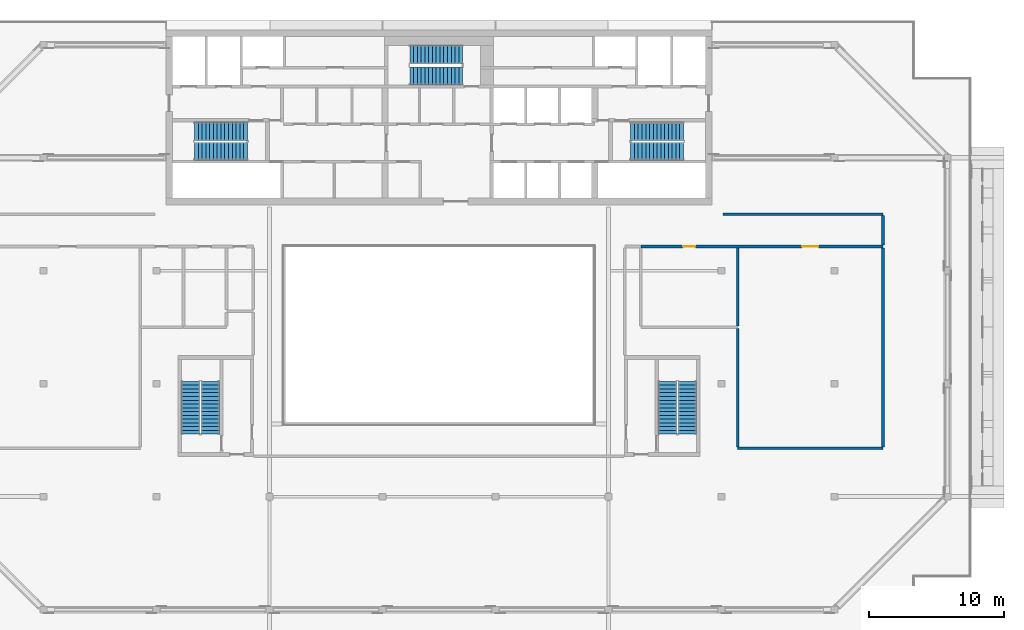
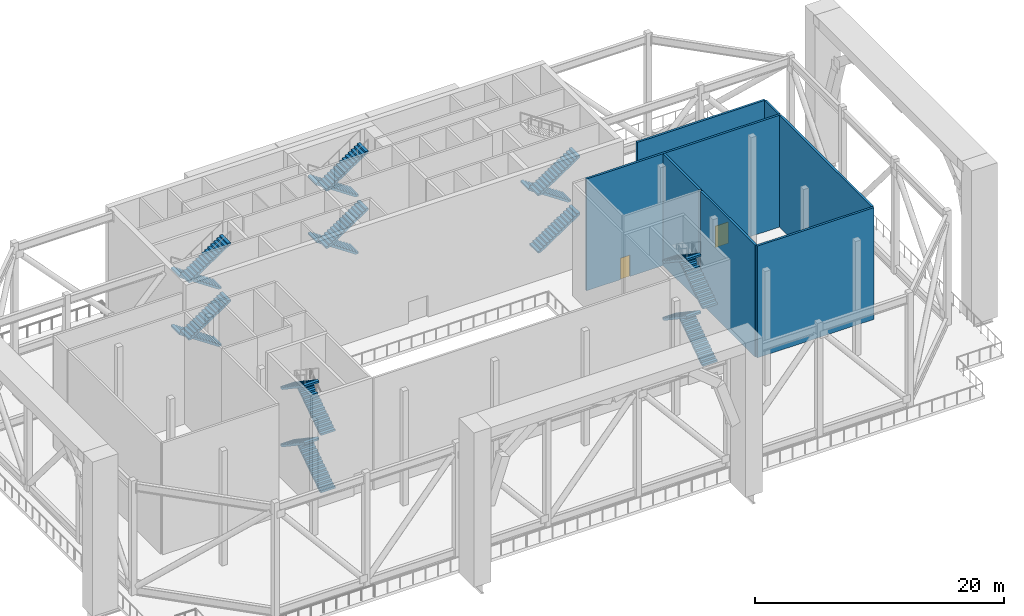
# One storey, part 8 of 20: 19 stair flights, 7 walls, 2 doors, 2 openings, 5 elements without a shape of their own.
"""IFC4 building model written with IfcOpenShell, lengths in metres."""

from ifc_helpers import new_model, si_unit, direction, frame, frame_2d, origin, place, context, subcontext, project, spatial, polyline, rectangle, outline, extrude, material, layer, layer_set, type_object, element, fill, aggregate, save


model = new_model("IFC4")

# Units and contexts
model_context = context("Model", 3, precision=1e-05, world=origin(), true_north=direction((0.0, 1.0)))
body_context = subcontext(model_context, "Body", "Model", "MODEL_VIEW")
ifc_project = project(units=[si_unit("LENGTHUNIT", "METRE"), si_unit("AREAUNIT", "SQUARE_METRE"), si_unit("VOLUMEUNIT", "CUBIC_METRE"), si_unit("PLANEANGLEUNIT", "RADIAN"), si_unit("MASSUNIT", "GRAM", prefix="KILO")], contexts=[model_context])

# Site, building, storey
site_placement = place(None, origin())
site = spatial("IfcSite", under=ifc_project, at=site_placement, CompositionType="ELEMENT")
building_placement = place(site_placement, origin())
building = spatial("IfcBuilding", under=site, at=building_placement, Name="Saffron Gate Tower", CompositionType="ELEMENT")
storey_placement = place(building_placement, frame((0.0, 0.0, 252.300048828125)))
storey = spatial("IfcBuildingStorey", under=building, at=storey_placement, Name="L62", CompositionType="ELEMENT", Elevation=252.300048828125)

# Wall, openings, doors
ifc_material_1 = material(Name="Clay brick masonry, rendered", Category="masonry")
ifc_layer_1 = layer(ifc_material_1, 0.199951171875)
ifc_layer_set_1 = layer_set([ifc_layer_1], Name="PW3 Corridor wall 200")
wall_type_1 = type_object("IfcWallType", Name="PW3 Corridor wall 200", PredefinedType="PARTITIONING", material=ifc_layer_set_1)
wall_1_placement = place(storey_placement, frame((120.60009765625, 58.800048828125, 0.0), z_axis=(0.0, 0.0, 1.0), x_axis=(-1.0, 0.0, 0.0)))
wall_1 = element("IfcWall", 1, at=wall_1_placement, inside=storey, type_object=wall_type_1, Name="Wall X3-9", PredefinedType="PARTITIONING", context=body_context, shape_type="SweptSolid", body=[
    extrude(rectangle(XDim=18.0, YDim=0.199951171875, at=frame_2d((9.0, 0.0))), origin(), (0.0, 0.0, 1.0), 10.969970703125),
])
opening_1_placement = place(wall_1_placement, frame((4.800048828125, 0.0, 0.0)))
opening_1 = element("IfcOpeningElement", 2, at=opening_1_placement, cuts=wall_1, Name="Opening X3-5", PredefinedType="OPENING", context=body_context, shape_type="SweptSolid", body=[
    extrude(rectangle(XDim=1.199951171875, YDim=2.10009765625, at=frame_2d((0.60009765625, 1.050048828125))), frame((0.0, 0.10986328125, 0.0), z_axis=(0.0, -1.0, 0.0), x_axis=(1.0, 0.0, 0.0)), (0.0, 0.0, 1.0), 0.219970703125),
])
opening_2_placement = place(wall_1_placement, frame((13.949951171875, 0.0, 0.0)))
opening_2 = element("IfcOpeningElement", 3, at=opening_2_placement, cuts=wall_1, Name="Opening X3-1", PredefinedType="OPENING", context=body_context, shape_type="SweptSolid", body=[
    extrude(rectangle(XDim=0.89990234375, YDim=2.10009765625, at=frame_2d((0.449951171875, 1.050048828125))), frame((0.0, 0.10986328125, 0.0), z_axis=(0.0, -1.0, 0.0), x_axis=(1.0, 0.0, 0.0)), (0.0, 0.0, 1.0), 0.219970703125),
])
ifc_material_2 = material(Name="Timber door set", Category="wood")
door_type_1 = type_object("IfcDoorType", Name="HD1 Hall door 1200x2100", OperationType="NOTDEFINED", PredefinedType="DOOR", material=ifc_material_2)
door_1_placement = place(opening_1_placement, origin())
door_1 = element("IfcDoor", 4, at=door_1_placement, inside=storey, type_object=door_type_1, Name="Door X3-5", OperationType="SINGLE_SWING_RIGHT", OverallHeight=2.10009765625, OverallWidth=1.199951171875, PredefinedType="DOOR", context=body_context, shape_type="SweptSolid", body=[
    extrude(rectangle(XDim=1.199951171875, YDim=2.10009765625, at=frame_2d((0.60009765625, 1.050048828125))), frame((0.0, 0.02490234375, 0.0), z_axis=(0.0, -1.0, 0.0), x_axis=(1.0, 0.0, 0.0)), (0.0, 0.0, 1.0), 0.050048828125),
])
fill(opening_1, door_1)
door_type_2 = type_object("IfcDoorType", Name="RD1 Room door 900x2100", OperationType="NOTDEFINED", PredefinedType="DOOR", material=ifc_material_2)
door_2_placement = place(opening_2_placement, origin())
door_2 = element("IfcDoor", 5, at=door_2_placement, inside=storey, type_object=door_type_2, Name="Door X3-1", OperationType="SINGLE_SWING_LEFT", OverallHeight=2.10009765625, OverallWidth=0.89990234375, PredefinedType="DOOR", context=body_context, shape_type="SweptSolid", body=[
    extrude(rectangle(XDim=0.89990234375, YDim=2.10009765625, at=frame_2d((0.449951171875, 1.050048828125))), frame((0.0, 0.02490234375, 0.0), z_axis=(0.0, -1.0, 0.0), x_axis=(1.0, 0.0, 0.0)), (0.0, 0.0, 1.0), 0.050048828125),
])
fill(opening_2, door_2)

# Walls
ifc_layer_2 = layer(ifc_material_1, 0.199951171875)
ifc_layer_set_2 = layer_set([ifc_layer_2], Name="PW5 Room wall 200")
wall_type_2 = type_object("IfcWallType", Name="PW5 Room wall 200", PredefinedType="PARTITIONING", material=ifc_layer_set_2)
wall_2_placement = place(storey_placement, frame((109.800048828125, 43.800048828125, 0.0), z_axis=(0.0, 0.0, 1.0), x_axis=(1.0, 0.0, 0.0)))
element("IfcWall", 6, at=wall_2_placement, inside=storey, type_object=wall_type_2, Name="Wall X3-3", PredefinedType="PARTITIONING", context=body_context, shape_type="SweptSolid", body=[
    extrude(rectangle(XDim=10.800048828125, YDim=0.199951171875, at=frame_2d((5.39990234375, 0.0))), origin(), (0.0, 0.0, 1.0), 10.969970703125),
])
wall_3_placement = place(storey_placement, frame((108.699951171875, 61.199951171875, 0.0), z_axis=(0.0, 0.0, 1.0), x_axis=(1.0, 0.0, 0.0)))
element("IfcWall", 7, at=wall_3_placement, inside=storey, type_object=wall_type_2, Name="Wall X3-12", PredefinedType="PARTITIONING", context=body_context, shape_type="SweptSolid", body=[
    extrude(rectangle(XDim=11.900146484375, YDim=0.199951171875, at=frame_2d((5.9501953125, 0.0))), origin(), (0.0, 0.0, 1.0), 10.969970703125),
])
wall_4_placement = place(storey_placement, frame((109.800048828125, 52.699951171875, 0.0), z_axis=(0.0, 0.0, 1.0), x_axis=(0.0, -1.0, 0.0)))
element("IfcWall", 8, at=wall_4_placement, inside=storey, type_object=wall_type_2, Name="Wall X3-24", PredefinedType="PARTITIONING", context=body_context, shape_type="SweptSolid", body=[
    extrude(rectangle(XDim=8.800048828125, YDim=0.199951171875, at=frame_2d((4.39990234375, 0.0))), origin(), (0.0, 0.0, 1.0), 10.969970703125),
])
wall_5_placement = place(storey_placement, frame((109.800048828125, 58.699951171875, 0.0), z_axis=(0.0, 0.0, 1.0), x_axis=(0.0, -1.0, 0.0)))
element("IfcWall", 9, at=wall_5_placement, inside=storey, type_object=wall_type_2, Name="Wall X3-25", PredefinedType="PARTITIONING", context=body_context, shape_type="SweptSolid", body=[
    extrude(rectangle(XDim=5.800048828125, YDim=0.199951171875, at=frame_2d((2.89990234375, 0.0))), origin(), (0.0, 0.0, 1.0), 10.969970703125),
])
wall_6_placement = place(storey_placement, frame((120.60009765625, 58.699951171875, 0.0), z_axis=(0.0, 0.0, 1.0), x_axis=(0.0, -1.0, 0.0)))
element("IfcWall", 10, at=wall_6_placement, inside=storey, type_object=wall_type_2, Name="Wall X3-26", PredefinedType="PARTITIONING", context=body_context, shape_type="SweptSolid", body=[
    extrude(rectangle(XDim=14.800048828125, YDim=0.199951171875, at=frame_2d((7.39990234375, 0.0))), origin(), (0.0, 0.0, 1.0), 10.969970703125),
])
wall_7_placement = place(storey_placement, frame((120.60009765625, 61.10009765625, 0.0), z_axis=(0.0, 0.0, 1.0), x_axis=(0.0, -1.0, 0.0)))
element("IfcWall", 11, at=wall_7_placement, inside=storey, type_object=wall_type_2, Name="Wall X3-27", PredefinedType="PARTITIONING", context=body_context, shape_type="SweptSolid", body=[
    extrude(rectangle(XDim=2.2001953125, YDim=0.199951171875, at=frame_2d((1.10009765625, 0.0))), origin(), (0.0, 0.0, 1.0), 10.969970703125),
])

# Stair, stair flights
ifc_material_3 = material(Name="Concrete C40", Category="concrete")
stair_type = type_object("IfcStairType", Name="ST8 Stair 1350 wide, 60 risers of 188", PredefinedType="HALF_TURN_STAIR", material=ifc_material_3)
stair_1_placement = place(storey_placement, origin())
stair_1 = element("IfcStair", 12, at=stair_1_placement, inside=storey, type_object=stair_type, Name="L62 Exit stair A", PredefinedType="HALF_TURN_STAIR")
stair_flight_type = type_object("IfcStairFlightType", Name="SF2 Stair flight 1350 wide, riser 188 going 280", PredefinedType="STRAIGHT", material=ifc_material_3)
stair_flight_1_placement = place(storey_placement, frame((73.35009765625, 67.375, 0.0), z_axis=(0.0, 0.0, 1.0), x_axis=(-1.0, 0.0, 0.0)))
stair_flight_1 = element("IfcStairFlight", 13, at=stair_flight_1_placement, type_object=stair_flight_type, Name="ST-A flight 1", NumberOfRisers=15, NumberOfTreads=14, PredefinedType="STRAIGHT", RiserHeight=0.1875, TreadLength=0.28, context=body_context, shape_type="SweptSolid", body=[
    extrude(outline(polyline([(0.0, 0.0), (0.0, 0.1875), (0.280029296875, 0.1875), (0.280029296875, 0.375), (0.56005859375, 0.375), (0.56005859375, 0.5625), (0.840087890625, 0.5625), (0.840087890625, 0.75), (1.1201171875, 0.75), (1.1201171875, 0.9375), (1.39990234375, 0.9375), (1.39990234375, 1.125), (1.679931640625, 1.125), (1.679931640625, 1.3125), (1.9599609375, 1.3125), (1.9599609375, 1.5), (2.239990234375, 1.5), (2.239990234375, 1.6875), (2.52001953125, 1.6875), (2.52001953125, 1.875), (2.800048828125, 1.875), (2.800048828125, 2.0625), (3.080078125, 2.0625), (3.080078125, 2.25), (3.360107421875, 2.25), (3.360107421875, 2.4375), (3.639892578125, 2.4375), (3.639892578125, 2.625), (3.919921875, 2.625), (3.919921875, 2.8125), (3.919921875, 2.444580078125), (0.26953125, 0.0), (0.0, 0.0)])), frame((0.0, 0.675048828125, 0.0), z_axis=(0.0, -1.0, 0.0), x_axis=(1.0, 0.0, 0.0)), (0.0, 0.0, 1.0), 1.35009765625),
])
stair_flight_2_placement = place(storey_placement, frame((69.429931640625, 65.875, 2.8125), z_axis=(0.0, 0.0, 1.0), x_axis=(1.0, 0.0, 0.0)))
stair_flight_2 = element("IfcStairFlight", 14, at=stair_flight_2_placement, type_object=stair_flight_type, Name="ST-A flight 2", NumberOfRisers=15, NumberOfTreads=14, PredefinedType="STRAIGHT", RiserHeight=0.1875, TreadLength=0.28, context=body_context, shape_type="SweptSolid", body=[
    extrude(outline(polyline([(0.0, 0.0), (0.0, 0.1875), (0.280029296875, 0.1875), (0.280029296875, 0.375), (0.56005859375, 0.375), (0.56005859375, 0.5625), (0.840087890625, 0.5625), (0.840087890625, 0.75), (1.1201171875, 0.75), (1.1201171875, 0.9375), (1.39990234375, 0.9375), (1.39990234375, 1.125), (1.679931640625, 1.125), (1.679931640625, 1.3125), (1.9599609375, 1.3125), (1.9599609375, 1.5), (2.239990234375, 1.5), (2.239990234375, 1.6875), (2.52001953125, 1.6875), (2.52001953125, 1.875), (2.800048828125, 1.875), (2.800048828125, 2.0625), (3.080078125, 2.0625), (3.080078125, 2.25), (3.360107421875, 2.25), (3.360107421875, 2.4375), (3.639892578125, 2.4375), (3.639892578125, 2.625), (3.919921875, 2.625), (3.919921875, 2.8125), (3.919921875, 2.444580078125), (0.26953125, 0.0), (0.0, 0.0)])), frame((0.0, 0.675048828125, 0.0), z_axis=(0.0, -1.0, 0.0), x_axis=(1.0, 0.0, 0.0)), (0.0, 0.0, 1.0), 1.35009765625),
])
stair_flight_3_placement = place(storey_placement, frame((73.35009765625, 67.375, 5.625), z_axis=(0.0, 0.0, 1.0), x_axis=(-1.0, 0.0, 0.0)))
stair_flight_3 = element("IfcStairFlight", 15, at=stair_flight_3_placement, type_object=stair_flight_type, Name="ST-A flight 3", NumberOfRisers=15, NumberOfTreads=14, PredefinedType="STRAIGHT", RiserHeight=0.1875, TreadLength=0.28, context=body_context, shape_type="SweptSolid", body=[
    extrude(outline(polyline([(0.0, 0.0), (0.0, 0.1875), (0.280029296875, 0.1875), (0.280029296875, 0.375), (0.56005859375, 0.375), (0.56005859375, 0.5625), (0.840087890625, 0.5625), (0.840087890625, 0.75), (1.1201171875, 0.75), (1.1201171875, 0.9375), (1.39990234375, 0.9375), (1.39990234375, 1.125), (1.679931640625, 1.125), (1.679931640625, 1.3125), (1.9599609375, 1.3125), (1.9599609375, 1.5), (2.239990234375, 1.5), (2.239990234375, 1.6875), (2.52001953125, 1.6875), (2.52001953125, 1.875), (2.800048828125, 1.875), (2.800048828125, 2.0625), (3.080078125, 2.0625), (3.080078125, 2.25), (3.360107421875, 2.25), (3.360107421875, 2.4375), (3.639892578125, 2.4375), (3.639892578125, 2.625), (3.919921875, 2.625), (3.919921875, 2.8125), (3.919921875, 2.444580078125), (0.26953125, 0.0), (0.0, 0.0)])), frame((0.0, 0.675048828125, 0.0), z_axis=(0.0, -1.0, 0.0), x_axis=(1.0, 0.0, 0.0)), (0.0, 0.0, 1.0), 1.35009765625),
])
stair_flight_4_placement = place(storey_placement, frame((69.429931640625, 65.875, 8.4375), z_axis=(0.0, 0.0, 1.0), x_axis=(1.0, 0.0, 0.0)))
stair_flight_4 = element("IfcStairFlight", 16, at=stair_flight_4_placement, type_object=stair_flight_type, Name="ST-A flight 4", NumberOfRisers=15, NumberOfTreads=14, PredefinedType="STRAIGHT", RiserHeight=0.1875, TreadLength=0.28, context=body_context, shape_type="SweptSolid", body=[
    extrude(outline(polyline([(0.0, 0.0), (0.0, 0.1875), (0.280029296875, 0.1875), (0.280029296875, 0.375), (0.56005859375, 0.375), (0.56005859375, 0.5625), (0.840087890625, 0.5625), (0.840087890625, 0.75), (1.1201171875, 0.75), (1.1201171875, 0.9375), (1.39990234375, 0.9375), (1.39990234375, 1.125), (1.679931640625, 1.125), (1.679931640625, 1.3125), (1.9599609375, 1.3125), (1.9599609375, 1.5), (2.239990234375, 1.5), (2.239990234375, 1.6875), (2.52001953125, 1.6875), (2.52001953125, 1.875), (2.800048828125, 1.875), (2.800048828125, 2.0625), (3.080078125, 2.0625), (3.080078125, 2.25), (3.360107421875, 2.25), (3.360107421875, 2.4375), (3.639892578125, 2.4375), (3.639892578125, 2.625), (3.919921875, 2.625), (3.919921875, 2.8125), (3.919921875, 2.444580078125), (0.26953125, 0.0), (0.0, 0.0)])), frame((0.0, 0.675048828125, 0.0), z_axis=(0.0, -1.0, 0.0), x_axis=(1.0, 0.0, 0.0)), (0.0, 0.0, 1.0), 1.35009765625),
])
aggregate(stair_1, [stair_flight_1, stair_flight_2, stair_flight_3, stair_flight_4])

stair_2_placement = place(storey_placement, origin())
stair_2 = element("IfcStair", 17, at=stair_2_placement, inside=storey, type_object=stair_type, Name="L62 Exit stair B", PredefinedType="HALF_TURN_STAIR")
stair_flight_5_placement = place(storey_placement, frame((101.85009765625, 65.875, 0.0), z_axis=(0.0, 0.0, 1.0), x_axis=(1.0, 0.0, 0.0)))
stair_flight_5 = element("IfcStairFlight", 18, at=stair_flight_5_placement, type_object=stair_flight_type, Name="ST-B flight 1", NumberOfRisers=15, NumberOfTreads=14, PredefinedType="STRAIGHT", RiserHeight=0.1875, TreadLength=0.28, context=body_context, shape_type="SweptSolid", body=[
    extrude(outline(polyline([(0.0, 0.0), (0.0, 0.1875), (0.280029296875, 0.1875), (0.280029296875, 0.375), (0.56005859375, 0.375), (0.56005859375, 0.5625), (0.840087890625, 0.5625), (0.840087890625, 0.75), (1.1201171875, 0.75), (1.1201171875, 0.9375), (1.39990234375, 0.9375), (1.39990234375, 1.125), (1.679931640625, 1.125), (1.679931640625, 1.3125), (1.9599609375, 1.3125), (1.9599609375, 1.5), (2.239990234375, 1.5), (2.239990234375, 1.6875), (2.52001953125, 1.6875), (2.52001953125, 1.875), (2.800048828125, 1.875), (2.800048828125, 2.0625), (3.080078125, 2.0625), (3.080078125, 2.25), (3.360107421875, 2.25), (3.360107421875, 2.4375), (3.639892578125, 2.4375), (3.639892578125, 2.625), (3.919921875, 2.625), (3.919921875, 2.8125), (3.919921875, 2.444580078125), (0.26953125, 0.0), (0.0, 0.0)])), frame((0.0, 0.675048828125, 0.0), z_axis=(0.0, -1.0, 0.0), x_axis=(1.0, 0.0, 0.0)), (0.0, 0.0, 1.0), 1.35009765625),
])
stair_flight_6_placement = place(storey_placement, frame((105.77001953125, 67.375, 2.8125), z_axis=(0.0, 0.0, 1.0), x_axis=(-1.0, 0.0, 0.0)))
stair_flight_6 = element("IfcStairFlight", 19, at=stair_flight_6_placement, type_object=stair_flight_type, Name="ST-B flight 2", NumberOfRisers=15, NumberOfTreads=14, PredefinedType="STRAIGHT", RiserHeight=0.1875, TreadLength=0.28, context=body_context, shape_type="SweptSolid", body=[
    extrude(outline(polyline([(0.0, 0.0), (0.0, 0.1875), (0.280029296875, 0.1875), (0.280029296875, 0.375), (0.56005859375, 0.375), (0.56005859375, 0.5625), (0.840087890625, 0.5625), (0.840087890625, 0.75), (1.1201171875, 0.75), (1.1201171875, 0.9375), (1.39990234375, 0.9375), (1.39990234375, 1.125), (1.679931640625, 1.125), (1.679931640625, 1.3125), (1.9599609375, 1.3125), (1.9599609375, 1.5), (2.239990234375, 1.5), (2.239990234375, 1.6875), (2.52001953125, 1.6875), (2.52001953125, 1.875), (2.800048828125, 1.875), (2.800048828125, 2.0625), (3.080078125, 2.0625), (3.080078125, 2.25), (3.360107421875, 2.25), (3.360107421875, 2.4375), (3.639892578125, 2.4375), (3.639892578125, 2.625), (3.919921875, 2.625), (3.919921875, 2.8125), (3.919921875, 2.444580078125), (0.26953125, 0.0), (0.0, 0.0)])), frame((0.0, 0.675048828125, 0.0), z_axis=(0.0, -1.0, 0.0), x_axis=(1.0, 0.0, 0.0)), (0.0, 0.0, 1.0), 1.35009765625),
])
stair_flight_7_placement = place(storey_placement, frame((101.85009765625, 65.875, 5.625), z_axis=(0.0, 0.0, 1.0), x_axis=(1.0, 0.0, 0.0)))
stair_flight_7 = element("IfcStairFlight", 20, at=stair_flight_7_placement, type_object=stair_flight_type, Name="ST-B flight 3", NumberOfRisers=15, NumberOfTreads=14, PredefinedType="STRAIGHT", RiserHeight=0.1875, TreadLength=0.28, context=body_context, shape_type="SweptSolid", body=[
    extrude(outline(polyline([(0.0, 0.0), (0.0, 0.1875), (0.280029296875, 0.1875), (0.280029296875, 0.375), (0.56005859375, 0.375), (0.56005859375, 0.5625), (0.840087890625, 0.5625), (0.840087890625, 0.75), (1.1201171875, 0.75), (1.1201171875, 0.9375), (1.39990234375, 0.9375), (1.39990234375, 1.125), (1.679931640625, 1.125), (1.679931640625, 1.3125), (1.9599609375, 1.3125), (1.9599609375, 1.5), (2.239990234375, 1.5), (2.239990234375, 1.6875), (2.52001953125, 1.6875), (2.52001953125, 1.875), (2.800048828125, 1.875), (2.800048828125, 2.0625), (3.080078125, 2.0625), (3.080078125, 2.25), (3.360107421875, 2.25), (3.360107421875, 2.4375), (3.639892578125, 2.4375), (3.639892578125, 2.625), (3.919921875, 2.625), (3.919921875, 2.8125), (3.919921875, 2.444580078125), (0.26953125, 0.0), (0.0, 0.0)])), frame((0.0, 0.675048828125, 0.0), z_axis=(0.0, -1.0, 0.0), x_axis=(1.0, 0.0, 0.0)), (0.0, 0.0, 1.0), 1.35009765625),
])
aggregate(stair_2, [stair_flight_5, stair_flight_6, stair_flight_7])

stair_3_placement = place(storey_placement, origin())
stair_3 = element("IfcStair", 21, at=stair_3_placement, inside=storey, type_object=stair_type, Name="L62 Exit stair C", PredefinedType="HALF_TURN_STAIR")
stair_flight_8_placement = place(storey_placement, frame((89.35009765625, 73.074951171875, 0.0), z_axis=(0.0, 0.0, 1.0), x_axis=(-1.0, 0.0, 0.0)))
stair_flight_8 = element("IfcStairFlight", 22, at=stair_flight_8_placement, type_object=stair_flight_type, Name="ST-C flight 1", NumberOfRisers=15, NumberOfTreads=14, PredefinedType="STRAIGHT", RiserHeight=0.1875, TreadLength=0.28, context=body_context, shape_type="SweptSolid", body=[
    extrude(outline(polyline([(0.0, 0.0), (0.0, 0.1875), (0.280029296875, 0.1875), (0.280029296875, 0.375), (0.56005859375, 0.375), (0.56005859375, 0.5625), (0.840087890625, 0.5625), (0.840087890625, 0.75), (1.1201171875, 0.75), (1.1201171875, 0.9375), (1.39990234375, 0.9375), (1.39990234375, 1.125), (1.679931640625, 1.125), (1.679931640625, 1.3125), (1.9599609375, 1.3125), (1.9599609375, 1.5), (2.239990234375, 1.5), (2.239990234375, 1.6875), (2.52001953125, 1.6875), (2.52001953125, 1.875), (2.800048828125, 1.875), (2.800048828125, 2.0625), (3.080078125, 2.0625), (3.080078125, 2.25), (3.360107421875, 2.25), (3.360107421875, 2.4375), (3.639892578125, 2.4375), (3.639892578125, 2.625), (3.919921875, 2.625), (3.919921875, 2.8125), (3.919921875, 2.444580078125), (0.26953125, 0.0), (0.0, 0.0)])), frame((0.0, 0.675048828125, 0.0), z_axis=(0.0, -1.0, 0.0), x_axis=(1.0, 0.0, 0.0)), (0.0, 0.0, 1.0), 1.35009765625),
])
stair_flight_9_placement = place(storey_placement, frame((85.429931640625, 71.47509765625, 2.8125), z_axis=(0.0, 0.0, 1.0), x_axis=(1.0, 0.0, 0.0)))
stair_flight_9 = element("IfcStairFlight", 23, at=stair_flight_9_placement, type_object=stair_flight_type, Name="ST-C flight 2", NumberOfRisers=15, NumberOfTreads=14, PredefinedType="STRAIGHT", RiserHeight=0.1875, TreadLength=0.28, context=body_context, shape_type="SweptSolid", body=[
    extrude(outline(polyline([(0.0, 0.0), (0.0, 0.1875), (0.280029296875, 0.1875), (0.280029296875, 0.375), (0.56005859375, 0.375), (0.56005859375, 0.5625), (0.840087890625, 0.5625), (0.840087890625, 0.75), (1.1201171875, 0.75), (1.1201171875, 0.9375), (1.39990234375, 0.9375), (1.39990234375, 1.125), (1.679931640625, 1.125), (1.679931640625, 1.3125), (1.9599609375, 1.3125), (1.9599609375, 1.5), (2.239990234375, 1.5), (2.239990234375, 1.6875), (2.52001953125, 1.6875), (2.52001953125, 1.875), (2.800048828125, 1.875), (2.800048828125, 2.0625), (3.080078125, 2.0625), (3.080078125, 2.25), (3.360107421875, 2.25), (3.360107421875, 2.4375), (3.639892578125, 2.4375), (3.639892578125, 2.625), (3.919921875, 2.625), (3.919921875, 2.8125), (3.919921875, 2.444580078125), (0.26953125, 0.0), (0.0, 0.0)])), frame((0.0, 0.675048828125, 0.0), z_axis=(0.0, -1.0, 0.0), x_axis=(1.0, 0.0, 0.0)), (0.0, 0.0, 1.0), 1.35009765625),
])
stair_flight_10_placement = place(storey_placement, frame((89.35009765625, 73.074951171875, 5.625), z_axis=(0.0, 0.0, 1.0), x_axis=(-1.0, 0.0, 0.0)))
stair_flight_10 = element("IfcStairFlight", 24, at=stair_flight_10_placement, type_object=stair_flight_type, Name="ST-C flight 3", NumberOfRisers=15, NumberOfTreads=14, PredefinedType="STRAIGHT", RiserHeight=0.1875, TreadLength=0.28, context=body_context, shape_type="SweptSolid", body=[
    extrude(outline(polyline([(0.0, 0.0), (0.0, 0.1875), (0.280029296875, 0.1875), (0.280029296875, 0.375), (0.56005859375, 0.375), (0.56005859375, 0.5625), (0.840087890625, 0.5625), (0.840087890625, 0.75), (1.1201171875, 0.75), (1.1201171875, 0.9375), (1.39990234375, 0.9375), (1.39990234375, 1.125), (1.679931640625, 1.125), (1.679931640625, 1.3125), (1.9599609375, 1.3125), (1.9599609375, 1.5), (2.239990234375, 1.5), (2.239990234375, 1.6875), (2.52001953125, 1.6875), (2.52001953125, 1.875), (2.800048828125, 1.875), (2.800048828125, 2.0625), (3.080078125, 2.0625), (3.080078125, 2.25), (3.360107421875, 2.25), (3.360107421875, 2.4375), (3.639892578125, 2.4375), (3.639892578125, 2.625), (3.919921875, 2.625), (3.919921875, 2.8125), (3.919921875, 2.444580078125), (0.26953125, 0.0), (0.0, 0.0)])), frame((0.0, 0.675048828125, 0.0), z_axis=(0.0, -1.0, 0.0), x_axis=(1.0, 0.0, 0.0)), (0.0, 0.0, 1.0), 1.35009765625),
])
stair_flight_11_placement = place(storey_placement, frame((85.429931640625, 71.47509765625, 8.4375), z_axis=(0.0, 0.0, 1.0), x_axis=(1.0, 0.0, 0.0)))
stair_flight_11 = element("IfcStairFlight", 25, at=stair_flight_11_placement, type_object=stair_flight_type, Name="ST-C flight 4", NumberOfRisers=15, NumberOfTreads=14, PredefinedType="STRAIGHT", RiserHeight=0.1875, TreadLength=0.28, context=body_context, shape_type="SweptSolid", body=[
    extrude(outline(polyline([(0.0, 0.0), (0.0, 0.1875), (0.280029296875, 0.1875), (0.280029296875, 0.375), (0.56005859375, 0.375), (0.56005859375, 0.5625), (0.840087890625, 0.5625), (0.840087890625, 0.75), (1.1201171875, 0.75), (1.1201171875, 0.9375), (1.39990234375, 0.9375), (1.39990234375, 1.125), (1.679931640625, 1.125), (1.679931640625, 1.3125), (1.9599609375, 1.3125), (1.9599609375, 1.5), (2.239990234375, 1.5), (2.239990234375, 1.6875), (2.52001953125, 1.6875), (2.52001953125, 1.875), (2.800048828125, 1.875), (2.800048828125, 2.0625), (3.080078125, 2.0625), (3.080078125, 2.25), (3.360107421875, 2.25), (3.360107421875, 2.4375), (3.639892578125, 2.4375), (3.639892578125, 2.625), (3.919921875, 2.625), (3.919921875, 2.8125), (3.919921875, 2.444580078125), (0.26953125, 0.0), (0.0, 0.0)])), frame((0.0, 0.675048828125, 0.0), z_axis=(0.0, -1.0, 0.0), x_axis=(1.0, 0.0, 0.0)), (0.0, 0.0, 1.0), 1.35009765625),
])
aggregate(stair_3, [stair_flight_8, stair_flight_9, stair_flight_10, stair_flight_11])

stair_4_placement = place(storey_placement, origin())
stair_4 = element("IfcStair", 26, at=stair_4_placement, inside=storey, type_object=stair_type, Name="L62 Exit stair D", PredefinedType="HALF_TURN_STAIR")
stair_flight_12_placement = place(storey_placement, frame((70.625, 44.85009765625, 0.0), z_axis=(0.0, 0.0, 1.0), x_axis=(0.0, 1.0, 0.0)))
stair_flight_12 = element("IfcStairFlight", 27, at=stair_flight_12_placement, type_object=stair_flight_type, Name="ST-D flight 1", NumberOfRisers=15, NumberOfTreads=14, PredefinedType="STRAIGHT", RiserHeight=0.1875, TreadLength=0.28, context=body_context, shape_type="SweptSolid", body=[
    extrude(outline(polyline([(0.0, 0.0), (0.0, 0.1875), (0.280029296875, 0.1875), (0.280029296875, 0.375), (0.56005859375, 0.375), (0.56005859375, 0.5625), (0.840087890625, 0.5625), (0.840087890625, 0.75), (1.1201171875, 0.75), (1.1201171875, 0.9375), (1.39990234375, 0.9375), (1.39990234375, 1.125), (1.679931640625, 1.125), (1.679931640625, 1.3125), (1.9599609375, 1.3125), (1.9599609375, 1.5), (2.239990234375, 1.5), (2.239990234375, 1.6875), (2.52001953125, 1.6875), (2.52001953125, 1.875), (2.800048828125, 1.875), (2.800048828125, 2.0625), (3.080078125, 2.0625), (3.080078125, 2.25), (3.360107421875, 2.25), (3.360107421875, 2.4375), (3.639892578125, 2.4375), (3.639892578125, 2.625), (3.919921875, 2.625), (3.919921875, 2.8125), (3.919921875, 2.444580078125), (0.26953125, 0.0), (0.0, 0.0)])), frame((0.0, 0.675048828125, 0.0), z_axis=(0.0, -1.0, 0.0), x_axis=(1.0, 0.0, 0.0)), (0.0, 0.0, 1.0), 1.35009765625),
])
stair_flight_13_placement = place(storey_placement, frame((69.125, 48.77001953125, 2.8125), z_axis=(0.0, 0.0, 1.0), x_axis=(0.0, -1.0, 0.0)))
stair_flight_13 = element("IfcStairFlight", 28, at=stair_flight_13_placement, type_object=stair_flight_type, Name="ST-D flight 2", NumberOfRisers=15, NumberOfTreads=14, PredefinedType="STRAIGHT", RiserHeight=0.1875, TreadLength=0.28, context=body_context, shape_type="SweptSolid", body=[
    extrude(outline(polyline([(0.0, 0.0), (0.0, 0.1875), (0.280029296875, 0.1875), (0.280029296875, 0.375), (0.56005859375, 0.375), (0.56005859375, 0.5625), (0.840087890625, 0.5625), (0.840087890625, 0.75), (1.1201171875, 0.75), (1.1201171875, 0.9375), (1.39990234375, 0.9375), (1.39990234375, 1.125), (1.679931640625, 1.125), (1.679931640625, 1.3125), (1.9599609375, 1.3125), (1.9599609375, 1.5), (2.239990234375, 1.5), (2.239990234375, 1.6875), (2.52001953125, 1.6875), (2.52001953125, 1.875), (2.800048828125, 1.875), (2.800048828125, 2.0625), (3.080078125, 2.0625), (3.080078125, 2.25), (3.360107421875, 2.25), (3.360107421875, 2.4375), (3.639892578125, 2.4375), (3.639892578125, 2.625), (3.919921875, 2.625), (3.919921875, 2.8125), (3.919921875, 2.444580078125), (0.26953125, 0.0), (0.0, 0.0)])), frame((0.0, 0.675048828125, 0.0), z_axis=(0.0, -1.0, 0.0), x_axis=(1.0, 0.0, 0.0)), (0.0, 0.0, 1.0), 1.35009765625),
])
stair_flight_14_placement = place(storey_placement, frame((70.625, 44.85009765625, 5.625), z_axis=(0.0, 0.0, 1.0), x_axis=(0.0, 1.0, 0.0)))
stair_flight_14 = element("IfcStairFlight", 29, at=stair_flight_14_placement, type_object=stair_flight_type, Name="ST-D flight 3", NumberOfRisers=15, NumberOfTreads=14, PredefinedType="STRAIGHT", RiserHeight=0.1875, TreadLength=0.28, context=body_context, shape_type="SweptSolid", body=[
    extrude(outline(polyline([(0.0, 0.0), (0.0, 0.1875), (0.280029296875, 0.1875), (0.280029296875, 0.375), (0.56005859375, 0.375), (0.56005859375, 0.5625), (0.840087890625, 0.5625), (0.840087890625, 0.75), (1.1201171875, 0.75), (1.1201171875, 0.9375), (1.39990234375, 0.9375), (1.39990234375, 1.125), (1.679931640625, 1.125), (1.679931640625, 1.3125), (1.9599609375, 1.3125), (1.9599609375, 1.5), (2.239990234375, 1.5), (2.239990234375, 1.6875), (2.52001953125, 1.6875), (2.52001953125, 1.875), (2.800048828125, 1.875), (2.800048828125, 2.0625), (3.080078125, 2.0625), (3.080078125, 2.25), (3.360107421875, 2.25), (3.360107421875, 2.4375), (3.639892578125, 2.4375), (3.639892578125, 2.625), (3.919921875, 2.625), (3.919921875, 2.8125), (3.919921875, 2.444580078125), (0.26953125, 0.0), (0.0, 0.0)])), frame((0.0, 0.675048828125, 0.0), z_axis=(0.0, -1.0, 0.0), x_axis=(1.0, 0.0, 0.0)), (0.0, 0.0, 1.0), 1.35009765625),
])
stair_flight_15_placement = place(storey_placement, frame((69.125, 48.77001953125, 8.4375), z_axis=(0.0, 0.0, 1.0), x_axis=(0.0, -1.0, 0.0)))
stair_flight_15 = element("IfcStairFlight", 30, at=stair_flight_15_placement, type_object=stair_flight_type, Name="ST-D flight 4", NumberOfRisers=15, NumberOfTreads=14, PredefinedType="STRAIGHT", RiserHeight=0.1875, TreadLength=0.28, context=body_context, shape_type="SweptSolid", body=[
    extrude(outline(polyline([(0.0, 0.0), (0.0, 0.1875), (0.280029296875, 0.1875), (0.280029296875, 0.375), (0.56005859375, 0.375), (0.56005859375, 0.5625), (0.840087890625, 0.5625), (0.840087890625, 0.75), (1.1201171875, 0.75), (1.1201171875, 0.9375), (1.39990234375, 0.9375), (1.39990234375, 1.125), (1.679931640625, 1.125), (1.679931640625, 1.3125), (1.9599609375, 1.3125), (1.9599609375, 1.5), (2.239990234375, 1.5), (2.239990234375, 1.6875), (2.52001953125, 1.6875), (2.52001953125, 1.875), (2.800048828125, 1.875), (2.800048828125, 2.0625), (3.080078125, 2.0625), (3.080078125, 2.25), (3.360107421875, 2.25), (3.360107421875, 2.4375), (3.639892578125, 2.4375), (3.639892578125, 2.625), (3.919921875, 2.625), (3.919921875, 2.8125), (3.919921875, 2.444580078125), (0.26953125, 0.0), (0.0, 0.0)])), frame((0.0, 0.675048828125, 0.0), z_axis=(0.0, -1.0, 0.0), x_axis=(1.0, 0.0, 0.0)), (0.0, 0.0, 1.0), 1.35009765625),
])
aggregate(stair_4, [stair_flight_12, stair_flight_13, stair_flight_14, stair_flight_15])

stair_5_placement = place(storey_placement, origin())
stair_5 = element("IfcStair", 31, at=stair_5_placement, inside=storey, type_object=stair_type, Name="L62 Exit stair E", PredefinedType="HALF_TURN_STAIR")
stair_flight_16_placement = place(storey_placement, frame((106.074951171875, 44.85009765625, 0.0), z_axis=(0.0, 0.0, 1.0), x_axis=(0.0, 1.0, 0.0)))
stair_flight_16 = element("IfcStairFlight", 32, at=stair_flight_16_placement, type_object=stair_flight_type, Name="ST-E flight 1", NumberOfRisers=15, NumberOfTreads=14, PredefinedType="STRAIGHT", RiserHeight=0.1875, TreadLength=0.28, context=body_context, shape_type="SweptSolid", body=[
    extrude(outline(polyline([(0.0, 0.0), (0.0, 0.1875), (0.280029296875, 0.1875), (0.280029296875, 0.375), (0.56005859375, 0.375), (0.56005859375, 0.5625), (0.840087890625, 0.5625), (0.840087890625, 0.75), (1.1201171875, 0.75), (1.1201171875, 0.9375), (1.39990234375, 0.9375), (1.39990234375, 1.125), (1.679931640625, 1.125), (1.679931640625, 1.3125), (1.9599609375, 1.3125), (1.9599609375, 1.5), (2.239990234375, 1.5), (2.239990234375, 1.6875), (2.52001953125, 1.6875), (2.52001953125, 1.875), (2.800048828125, 1.875), (2.800048828125, 2.0625), (3.080078125, 2.0625), (3.080078125, 2.25), (3.360107421875, 2.25), (3.360107421875, 2.4375), (3.639892578125, 2.4375), (3.639892578125, 2.625), (3.919921875, 2.625), (3.919921875, 2.8125), (3.919921875, 2.444580078125), (0.26953125, 0.0), (0.0, 0.0)])), frame((0.0, 0.675048828125, 0.0), z_axis=(0.0, -1.0, 0.0), x_axis=(1.0, 0.0, 0.0)), (0.0, 0.0, 1.0), 1.35009765625),
])
stair_flight_17_placement = place(storey_placement, frame((104.574951171875, 48.77001953125, 2.8125), z_axis=(0.0, 0.0, 1.0), x_axis=(0.0, -1.0, 0.0)))
stair_flight_17 = element("IfcStairFlight", 33, at=stair_flight_17_placement, type_object=stair_flight_type, Name="ST-E flight 2", NumberOfRisers=15, NumberOfTreads=14, PredefinedType="STRAIGHT", RiserHeight=0.1875, TreadLength=0.28, context=body_context, shape_type="SweptSolid", body=[
    extrude(outline(polyline([(0.0, 0.0), (0.0, 0.1875), (0.280029296875, 0.1875), (0.280029296875, 0.375), (0.56005859375, 0.375), (0.56005859375, 0.5625), (0.840087890625, 0.5625), (0.840087890625, 0.75), (1.1201171875, 0.75), (1.1201171875, 0.9375), (1.39990234375, 0.9375), (1.39990234375, 1.125), (1.679931640625, 1.125), (1.679931640625, 1.3125), (1.9599609375, 1.3125), (1.9599609375, 1.5), (2.239990234375, 1.5), (2.239990234375, 1.6875), (2.52001953125, 1.6875), (2.52001953125, 1.875), (2.800048828125, 1.875), (2.800048828125, 2.0625), (3.080078125, 2.0625), (3.080078125, 2.25), (3.360107421875, 2.25), (3.360107421875, 2.4375), (3.639892578125, 2.4375), (3.639892578125, 2.625), (3.919921875, 2.625), (3.919921875, 2.8125), (3.919921875, 2.444580078125), (0.26953125, 0.0), (0.0, 0.0)])), frame((0.0, 0.675048828125, 0.0), z_axis=(0.0, -1.0, 0.0), x_axis=(1.0, 0.0, 0.0)), (0.0, 0.0, 1.0), 1.35009765625),
])
stair_flight_18_placement = place(storey_placement, frame((106.074951171875, 44.85009765625, 5.625), z_axis=(0.0, 0.0, 1.0), x_axis=(0.0, 1.0, 0.0)))
stair_flight_18 = element("IfcStairFlight", 34, at=stair_flight_18_placement, type_object=stair_flight_type, Name="ST-E flight 3", NumberOfRisers=15, NumberOfTreads=14, PredefinedType="STRAIGHT", RiserHeight=0.1875, TreadLength=0.28, context=body_context, shape_type="SweptSolid", body=[
    extrude(outline(polyline([(0.0, 0.0), (0.0, 0.1875), (0.280029296875, 0.1875), (0.280029296875, 0.375), (0.56005859375, 0.375), (0.56005859375, 0.5625), (0.840087890625, 0.5625), (0.840087890625, 0.75), (1.1201171875, 0.75), (1.1201171875, 0.9375), (1.39990234375, 0.9375), (1.39990234375, 1.125), (1.679931640625, 1.125), (1.679931640625, 1.3125), (1.9599609375, 1.3125), (1.9599609375, 1.5), (2.239990234375, 1.5), (2.239990234375, 1.6875), (2.52001953125, 1.6875), (2.52001953125, 1.875), (2.800048828125, 1.875), (2.800048828125, 2.0625), (3.080078125, 2.0625), (3.080078125, 2.25), (3.360107421875, 2.25), (3.360107421875, 2.4375), (3.639892578125, 2.4375), (3.639892578125, 2.625), (3.919921875, 2.625), (3.919921875, 2.8125), (3.919921875, 2.444580078125), (0.26953125, 0.0), (0.0, 0.0)])), frame((0.0, 0.675048828125, 0.0), z_axis=(0.0, -1.0, 0.0), x_axis=(1.0, 0.0, 0.0)), (0.0, 0.0, 1.0), 1.35009765625),
])
stair_flight_19_placement = place(storey_placement, frame((104.574951171875, 48.77001953125, 8.4375), z_axis=(0.0, 0.0, 1.0), x_axis=(0.0, -1.0, 0.0)))
stair_flight_19 = element("IfcStairFlight", 35, at=stair_flight_19_placement, type_object=stair_flight_type, Name="ST-E flight 4", NumberOfRisers=15, NumberOfTreads=14, PredefinedType="STRAIGHT", RiserHeight=0.1875, TreadLength=0.28, context=body_context, shape_type="SweptSolid", body=[
    extrude(outline(polyline([(0.0, 0.0), (0.0, 0.1875), (0.280029296875, 0.1875), (0.280029296875, 0.375), (0.56005859375, 0.375), (0.56005859375, 0.5625), (0.840087890625, 0.5625), (0.840087890625, 0.75), (1.1201171875, 0.75), (1.1201171875, 0.9375), (1.39990234375, 0.9375), (1.39990234375, 1.125), (1.679931640625, 1.125), (1.679931640625, 1.3125), (1.9599609375, 1.3125), (1.9599609375, 1.5), (2.239990234375, 1.5), (2.239990234375, 1.6875), (2.52001953125, 1.6875), (2.52001953125, 1.875), (2.800048828125, 1.875), (2.800048828125, 2.0625), (3.080078125, 2.0625), (3.080078125, 2.25), (3.360107421875, 2.25), (3.360107421875, 2.4375), (3.639892578125, 2.4375), (3.639892578125, 2.625), (3.919921875, 2.625), (3.919921875, 2.8125), (3.919921875, 2.444580078125), (0.26953125, 0.0), (0.0, 0.0)])), frame((0.0, 0.675048828125, 0.0), z_axis=(0.0, -1.0, 0.0), x_axis=(1.0, 0.0, 0.0)), (0.0, 0.0, 1.0), 1.35009765625),
])
aggregate(stair_5, [stair_flight_16, stair_flight_17, stair_flight_18, stair_flight_19])

save(model, "model.ifc")
